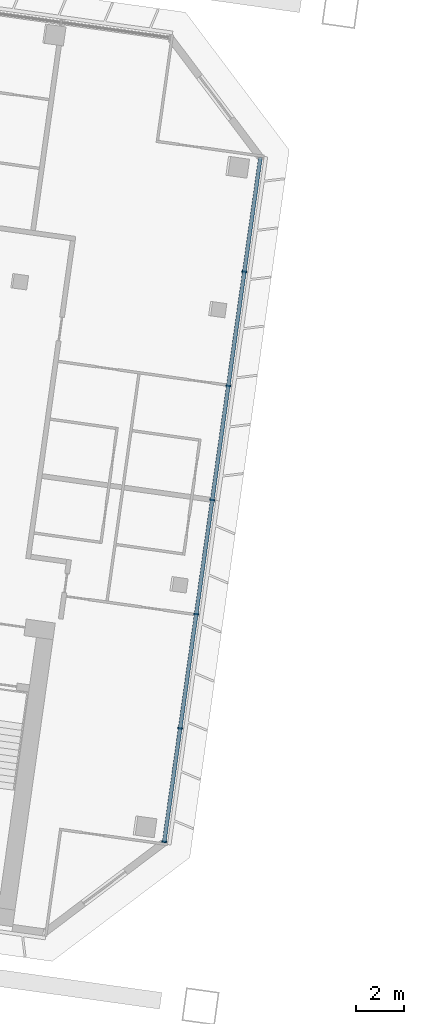
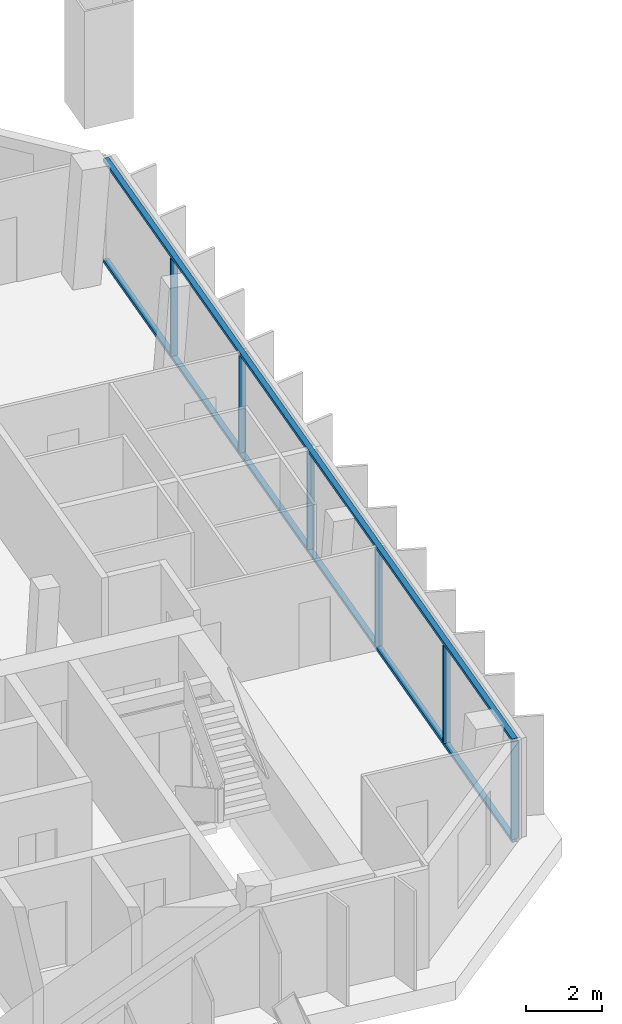
# One storey, part 6 of 38: 8 members, 1 element without a shape of its own.
"""IFC4 building model written with IfcOpenShell, lengths in metres."""

from ifc_helpers import new_model, si_unit, direction, frame, origin, origin_2d, place, context, subcontext, project, spatial, rectangle, extrude, material, material_profile, profile_set, type_object, element, aggregate, save


model = new_model("IFC4")

# Units and contexts
model_context = context("Model", 3, precision=1e-05, world=origin(), true_north=direction((0.0, 1.0)))
body_context = subcontext(model_context, "Body", "Model", "MODEL_VIEW")
ifc_project = project(units=[si_unit("LENGTHUNIT", "METRE"), si_unit("AREAUNIT", "SQUARE_METRE"), si_unit("VOLUMEUNIT", "CUBIC_METRE"), si_unit("PLANEANGLEUNIT", "RADIAN"), si_unit("MASSUNIT", "GRAM", prefix="KILO")], contexts=[model_context])

# Site, building, storey
site_placement = place(None, origin())
site = spatial("IfcSite", under=ifc_project, at=site_placement, CompositionType="ELEMENT")
building_placement = place(site_placement, origin())
building = spatial("IfcBuilding", under=site, at=building_placement, Name="Mirante Cascada Hotel Towers", CompositionType="ELEMENT")
storey_placement = place(building_placement, frame((0.0, 0.0, 184.0)))
storey = spatial("IfcBuildingStorey", under=building, at=storey_placement, Name="L43", CompositionType="ELEMENT", Elevation=184.0)

# Curtain wall, members
ifc_material_1 = material(Name="Aluminium mullion and transom frame with clear laminated glass", Category="aluminium")
curtain_wall_type = type_object("IfcCurtainWallType", Name="End ribbon curtain wall ECW2", PredefinedType="NOTDEFINED", material=ifc_material_1)
curtain_wall_placement = place(storey_placement, origin())
curtain_wall = element("IfcCurtainWall", 1, at=curtain_wall_placement, inside=storey, type_object=curtain_wall_type, Name="Inner end wall T1 L43", PredefinedType="NOTDEFINED")
ifc_material_2 = material(Name="Anodised aluminium extrusion", Category="aluminium")
ifc_material_profile_1 = material_profile(ifc_material_2, rectangle(XDim=0.2, YDim=0.065, at=origin_2d()), Name="ECW2 MULLION 65x200")
ifc_profile_set_1 = profile_set([ifc_material_profile_1], Name="Anodised aluminium extrusion")
member_type_1 = type_object("IfcMemberType", Name="ECW2 mullion 65x200", PredefinedType="MULLION", material=ifc_profile_set_1)
member_1_placement = place(storey_placement, frame((-27.6005, 7.3826, 0.1), z_axis=(0.0, 0.0, 1.0), x_axis=(0.9902681, -0.1391731, 0.0)))
member_1 = element("IfcMember", 2, at=member_1_placement, type_object=member_type_1, Name="ECW2 mullion 2", PredefinedType="MULLION", context=body_context, shape_type="SweptSolid", body=[
    extrude(rectangle(XDim=0.2, YDim=0.065, at=origin_2d()), origin(), (0.0, 0.0, 1.0), 3.15),
])
member_2_placement = place(storey_placement, frame((-28.2703, 2.6168, 0.1), z_axis=(0.0, 0.0, 1.0), x_axis=(0.9902681, -0.1391731, 0.0)))
member_2 = element("IfcMember", 3, at=member_2_placement, type_object=member_type_1, Name="ECW2 mullion 3", PredefinedType="MULLION", context=body_context, shape_type="SweptSolid", body=[
    extrude(rectangle(XDim=0.2, YDim=0.065, at=origin_2d()), origin(), (0.0, 0.0, 1.0), 3.15),
])
member_3_placement = place(storey_placement, frame((-28.94, -2.149, 0.1), z_axis=(0.0, 0.0, 1.0), x_axis=(0.9902681, -0.1391731, 0.0)))
member_3 = element("IfcMember", 4, at=member_3_placement, type_object=member_type_1, Name="ECW2 mullion 4", PredefinedType="MULLION", context=body_context, shape_type="SweptSolid", body=[
    extrude(rectangle(XDim=0.2, YDim=0.065, at=origin_2d()), origin(), (0.0, 0.0, 1.0), 3.15),
])
member_4_placement = place(storey_placement, frame((-29.6098, -6.9148, 0.1), z_axis=(0.0, 0.0, 1.0), x_axis=(0.9902681, -0.1391731, 0.0)))
member_4 = element("IfcMember", 5, at=member_4_placement, type_object=member_type_1, Name="ECW2 mullion 5", PredefinedType="MULLION", context=body_context, shape_type="SweptSolid", body=[
    extrude(rectangle(XDim=0.2, YDim=0.065, at=origin_2d()), origin(), (0.0, 0.0, 1.0), 3.15),
])
member_5_placement = place(storey_placement, frame((-30.2796, -11.6805, 0.1), z_axis=(0.0, 0.0, 1.0), x_axis=(0.9902681, -0.1391731, 0.0)))
member_5 = element("IfcMember", 6, at=member_5_placement, type_object=member_type_1, Name="ECW2 mullion 6", PredefinedType="MULLION", context=body_context, shape_type="SweptSolid", body=[
    extrude(rectangle(XDim=0.2, YDim=0.065, at=origin_2d()), origin(), (0.0, 0.0, 1.0), 3.15),
])
member_6_placement = place(storey_placement, frame((-30.9449, -16.4141, 0.1), z_axis=(0.0, 0.0, 1.0), x_axis=(0.9902681, -0.1391731, 0.0)))
member_6 = element("IfcMember", 7, at=member_6_placement, type_object=member_type_1, Name="ECW2 mullion 7", PredefinedType="MULLION", context=body_context, shape_type="SweptSolid", body=[
    extrude(rectangle(XDim=0.2, YDim=0.065, at=origin_2d()), origin(), (0.0, 0.0, 1.0), 3.15),
])
ifc_material_3 = material(Name="Anodised aluminium extrusion", Category="aluminium")
ifc_material_profile_2 = material_profile(ifc_material_3, rectangle(XDim=0.16, YDim=0.1, at=origin_2d()), Name="ECW2 TRANSOM 100x160")
ifc_profile_set_2 = profile_set([ifc_material_profile_2], Name="Anodised aluminium extrusion")
member_type_2 = type_object("IfcMemberType", Name="ECW2 transom 100x160", PredefinedType="USERDEFINED", material=ifc_profile_set_2)
member_7_placement = place(storey_placement, frame((-26.9307, 12.1484, 0.05), z_axis=(-0.1391723, -0.9902682, 0.0), x_axis=(0.9902682, -0.1391723, 0.0)))
member_7 = element("IfcMember", 8, at=member_7_placement, type_object=member_type_2, Name="ECW2 sill transom", ObjectType="TRANSOM", PredefinedType="USERDEFINED", context=body_context, shape_type="SweptSolid", body=[
    extrude(rectangle(XDim=0.16, YDim=0.1, at=origin_2d()), origin(), (0.0, 0.0, 1.0), 28.8757),
])
member_8_placement = place(storey_placement, frame((-26.9307, 12.1484, 3.3), z_axis=(-0.1391723, -0.9902682, 0.0), x_axis=(0.9902682, -0.1391723, 0.0)))
member_8 = element("IfcMember", 9, at=member_8_placement, type_object=member_type_2, Name="ECW2 head transom", ObjectType="TRANSOM", PredefinedType="USERDEFINED", context=body_context, shape_type="SweptSolid", body=[
    extrude(rectangle(XDim=0.16, YDim=0.1, at=origin_2d()), origin(), (0.0, 0.0, 1.0), 28.8757),
])
aggregate(curtain_wall, [member_7, member_8, member_1, member_2, member_3, member_4, member_5, member_6])

save(model, "model.ifc")
